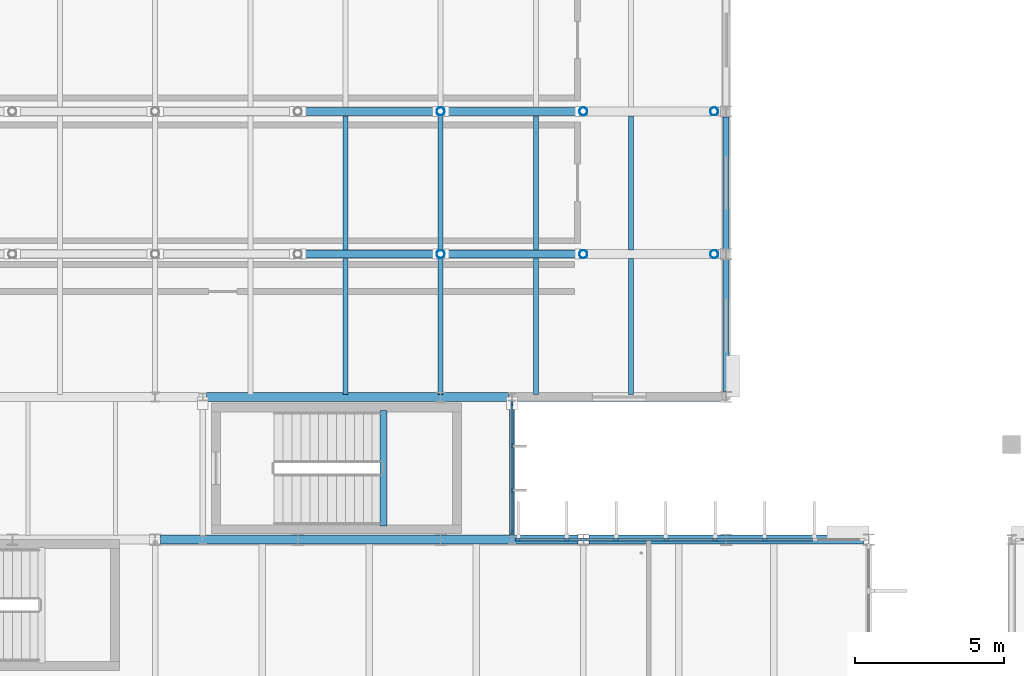
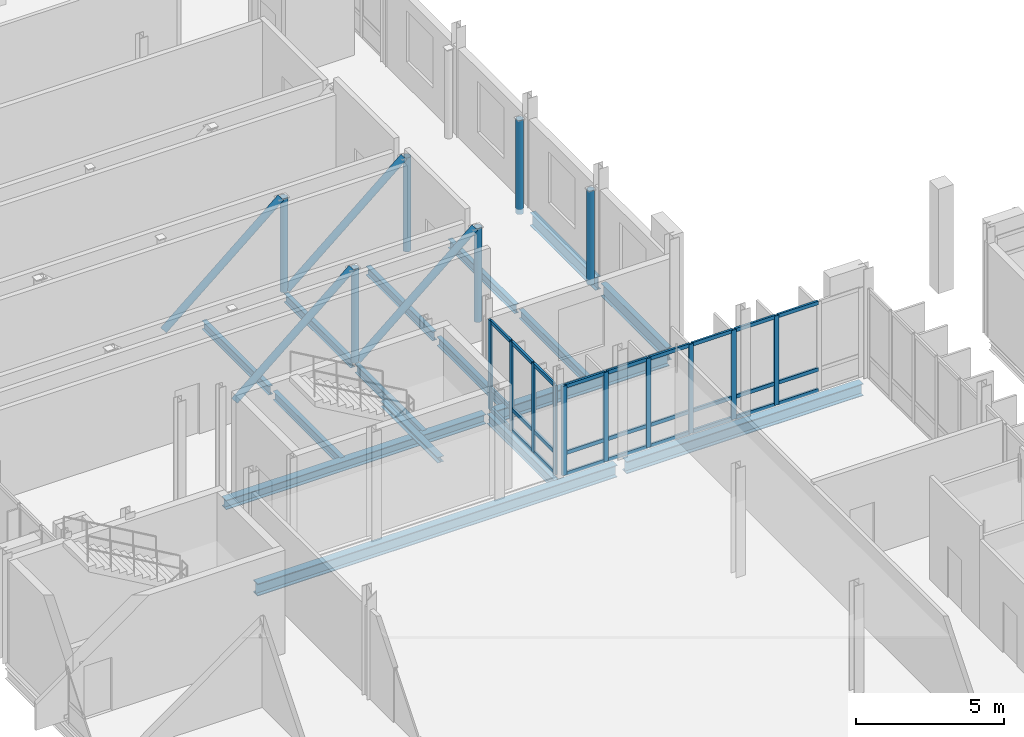
# One storey, part 26 of 110: 47 members, 16 beams, 2 elements without a shape of their own.
"""IFC4 building model written with IfcOpenShell, lengths in metres."""

from ifc_helpers import new_model, si_unit, direction, frame, origin, origin_2d, place, context, subcontext, project, spatial, rectangle, hollow_circle, i_section, extrude, material, material_profile, profile_set, type_object, element, aggregate, save


model = new_model("IFC4")

# Units and contexts
model_context = context("Model", 3, precision=1e-05, world=origin(), true_north=direction((0.0, 1.0)))
body_context = subcontext(model_context, "Body", "Model", "MODEL_VIEW")
ifc_project = project(units=[si_unit("LENGTHUNIT", "METRE"), si_unit("AREAUNIT", "SQUARE_METRE"), si_unit("VOLUMEUNIT", "CUBIC_METRE"), si_unit("PLANEANGLEUNIT", "RADIAN"), si_unit("MASSUNIT", "GRAM", prefix="KILO")], contexts=[model_context])

# Site, building, storey
site_placement = place(None, origin())
site = spatial("IfcSite", under=ifc_project, at=site_placement, CompositionType="ELEMENT")
building_placement = place(site_placement, origin())
building = spatial("IfcBuilding", under=site, at=building_placement, Name="Dunescarp Central Library", CompositionType="ELEMENT")
storey_placement = place(building_placement, frame((0.0, 0.0, 9.60009765625)))
storey = spatial("IfcBuildingStorey", under=building, at=storey_placement, Name="L02", CompositionType="ELEMENT", Elevation=9.60009765625)

# Curtain wall, members
ifc_material_1 = material(Name="Marine-grade anodised aluminium 6063-T6", Category="aluminium")
curtain_wall_type_1 = type_object("IfcCurtainWallType", Name="ARC-CW-STICK", PredefinedType="NOTDEFINED", material=ifc_material_1)
curtain_wall_1_placement = place(storey_placement, origin())
curtain_wall_1 = element("IfcCurtainWall", 1, at=curtain_wall_1_placement, inside=storey, type_object=curtain_wall_type_1, Name="L02 curtain wall CW-V1-014", PredefinedType="NOTDEFINED")
ifc_material_profile_1 = material_profile(ifc_material_1, rectangle(XDim=0.080078125, YDim=0.179931640625, at=origin_2d()), Name="AL 80x180")
ifc_profile_set_1 = profile_set([ifc_material_profile_1], Name="Marine-grade anodised aluminium 6063-T6")
member_type_1 = type_object("IfcMemberType", Name="ARC-CWM-180", PredefinedType="MULLION", material=ifc_profile_set_1)
member_1_placement = place(storey_placement, frame((21.81494140625, 36.800048828125, 0.0), z_axis=(0.0, 0.0, 1.0), x_axis=(0.0, 1.0, 0.0)))
member_1 = element("IfcMember", 2, at=member_1_placement, type_object=member_type_1, Name="CW-V1-014 mullion 1", PredefinedType="MULLION", context=body_context, shape_type="SweptSolid", body=[
    extrude(rectangle(XDim=0.080078125, YDim=0.179931640625, at=origin_2d()), origin(), (0.0, 0.0, 1.0), 3.684814453125),
])
member_2_placement = place(storey_placement, frame((23.439208984375, 36.800048828125, 0.0), z_axis=(0.0, 0.0, 1.0), x_axis=(0.0, 1.0, 0.0)))
member_2 = element("IfcMember", 3, at=member_2_placement, type_object=member_type_1, Name="CW-V1-014 mullion 2", PredefinedType="MULLION", context=body_context, shape_type="SweptSolid", body=[
    extrude(rectangle(XDim=0.080078125, YDim=0.179931640625, at=origin_2d()), origin(), (0.0, 0.0, 1.0), 3.684814453125),
])
member_3_placement = place(storey_placement, frame((25.103515625, 36.800048828125, 0.0), z_axis=(0.0, 0.0, 1.0), x_axis=(0.0, 1.0, 0.0)))
member_3 = element("IfcMember", 4, at=member_3_placement, type_object=member_type_1, Name="CW-V1-014 mullion 3", PredefinedType="MULLION", context=body_context, shape_type="SweptSolid", body=[
    extrude(rectangle(XDim=0.080078125, YDim=0.179931640625, at=origin_2d()), origin(), (0.0, 0.0, 1.0), 3.684814453125),
])
member_4_placement = place(storey_placement, frame((26.767822265625, 36.800048828125, 0.0), z_axis=(0.0, 0.0, 1.0), x_axis=(0.0, 1.0, 0.0)))
member_4 = element("IfcMember", 5, at=member_4_placement, type_object=member_type_1, Name="CW-V1-014 mullion 4", PredefinedType="MULLION", context=body_context, shape_type="SweptSolid", body=[
    extrude(rectangle(XDim=0.080078125, YDim=0.179931640625, at=origin_2d()), origin(), (0.0, 0.0, 1.0), 3.684814453125),
])
member_5_placement = place(storey_placement, frame((28.43212890625, 36.800048828125, 0.0), z_axis=(0.0, 0.0, 1.0), x_axis=(0.0, 1.0, 0.0)))
member_5 = element("IfcMember", 6, at=member_5_placement, type_object=member_type_1, Name="CW-V1-014 mullion 5", PredefinedType="MULLION", context=body_context, shape_type="SweptSolid", body=[
    extrude(rectangle(XDim=0.080078125, YDim=0.179931640625, at=origin_2d()), origin(), (0.0, 0.0, 1.0), 3.684814453125),
])
member_6_placement = place(storey_placement, frame((30.096435546875, 36.800048828125, 0.0), z_axis=(0.0, 0.0, 1.0), x_axis=(0.0, 1.0, 0.0)))
member_6 = element("IfcMember", 7, at=member_6_placement, type_object=member_type_1, Name="CW-V1-014 mullion 6", PredefinedType="MULLION", context=body_context, shape_type="SweptSolid", body=[
    extrude(rectangle(XDim=0.080078125, YDim=0.179931640625, at=origin_2d()), origin(), (0.0, 0.0, 1.0), 3.684814453125),
])

curtain_wall_type_2 = type_object("IfcCurtainWallType", Name="ARC-CW-LINK", PredefinedType="USERDEFINED", material=ifc_material_1)
curtain_wall_2_placement = place(storey_placement, origin())
curtain_wall_2 = element("IfcCurtainWall", 8, at=curtain_wall_2_placement, inside=storey, type_object=curtain_wall_type_2, Name="L02 curtain wall CW-GL4-E-L02", ObjectType="GLAZED_LINK_WALL", PredefinedType="USERDEFINED")
member_7_placement = place(storey_placement, frame((21.60009765625, 41.385009765625, 0.0), z_axis=(0.0, 0.0, 1.0), x_axis=(1.0, 0.0, 0.0)))
member_7 = element("IfcMember", 9, at=member_7_placement, type_object=member_type_1, Name="CW-GL4-E-L02 mullion 1", PredefinedType="MULLION", context=body_context, shape_type="SweptSolid", body=[
    extrude(rectangle(XDim=0.080078125, YDim=0.179931640625, at=origin_2d()), origin(), (0.0, 0.0, 1.0), 3.684814453125),
])
member_8_placement = place(storey_placement, frame((21.60009765625, 39.941650390625, 0.0), z_axis=(0.0, 0.0, 1.0), x_axis=(1.0, 0.0, 0.0)))
member_8 = element("IfcMember", 10, at=member_8_placement, type_object=member_type_1, Name="CW-GL4-E-L02 mullion 2", PredefinedType="MULLION", context=body_context, shape_type="SweptSolid", body=[
    extrude(rectangle(XDim=0.080078125, YDim=0.179931640625, at=origin_2d()), origin(), (0.0, 0.0, 1.0), 3.684814453125),
])
member_9_placement = place(storey_placement, frame((21.60009765625, 38.458251953125, 0.0), z_axis=(0.0, 0.0, 1.0), x_axis=(1.0, 0.0, 0.0)))
member_9 = element("IfcMember", 11, at=member_9_placement, type_object=member_type_1, Name="CW-GL4-E-L02 mullion 3", PredefinedType="MULLION", context=body_context, shape_type="SweptSolid", body=[
    extrude(rectangle(XDim=0.080078125, YDim=0.179931640625, at=origin_2d()), origin(), (0.0, 0.0, 1.0), 3.684814453125),
])
member_10_placement = place(storey_placement, frame((21.60009765625, 37.014892578125, 0.0), z_axis=(0.0, 0.0, 1.0), x_axis=(1.0, 0.0, 0.0)))
member_10 = element("IfcMember", 12, at=member_10_placement, type_object=member_type_1, Name="CW-GL4-E-L02 mullion 4", PredefinedType="MULLION", context=body_context, shape_type="SweptSolid", body=[
    extrude(rectangle(XDim=0.080078125, YDim=0.179931640625, at=origin_2d()), origin(), (0.0, 0.0, 1.0), 3.684814453125),
])

# Member
ifc_material_profile_2 = material_profile(ifc_material_1, rectangle(XDim=0.080078125, YDim=0.14990234375, at=origin_2d()), Name="AL 80x150")
ifc_profile_set_2 = profile_set([ifc_material_profile_2], Name="Marine-grade anodised aluminium 6063-T6")
member_type_2 = type_object("IfcMemberType", Name="ARC-CWT-150", PredefinedType="USERDEFINED", material=ifc_profile_set_2)
member_11_placement = place(storey_placement, frame((21.85498046875, 36.800048828125, 0.039794921875), z_axis=(1.0, 0.0, 0.0), x_axis=(0.0, 1.0, 0.0)))
member_11 = element("IfcMember", 13, at=member_11_placement, type_object=member_type_2, Name="CW-V1-014 transom 1.1", ObjectType="TRANSOM", PredefinedType="USERDEFINED", context=body_context, shape_type="SweptSolid", body=[
    extrude(rectangle(XDim=0.080078125, YDim=0.14990234375, at=origin_2d()), origin(), (0.0, 0.0, 1.0), 1.544189453125),
])

member_12_placement = place(storey_placement, frame((21.85498046875, 36.800048828125, 0.89990234375), z_axis=(1.0, 0.0, 0.0), x_axis=(0.0, 1.0, 0.0)))
member_12 = element("IfcMember", 14, at=member_12_placement, type_object=member_type_2, Name="CW-V1-014 transom 1.2", ObjectType="TRANSOM", PredefinedType="USERDEFINED", context=body_context, shape_type="SweptSolid", body=[
    extrude(rectangle(XDim=0.080078125, YDim=0.14990234375, at=origin_2d()), origin(), (0.0, 0.0, 1.0), 1.544189453125),
])

member_13_placement = place(storey_placement, frame((21.85498046875, 36.800048828125, 3.64501953125), z_axis=(1.0, 0.0, 0.0), x_axis=(0.0, 1.0, 0.0)))
member_13 = element("IfcMember", 15, at=member_13_placement, type_object=member_type_2, Name="CW-V1-014 transom 1.3", ObjectType="TRANSOM", PredefinedType="USERDEFINED", context=body_context, shape_type="SweptSolid", body=[
    extrude(rectangle(XDim=0.080078125, YDim=0.14990234375, at=origin_2d()), origin(), (0.0, 0.0, 1.0), 1.544189453125),
])

member_14_placement = place(storey_placement, frame((23.479248046875, 36.800048828125, 0.039794921875), z_axis=(1.0, 0.0, 0.0), x_axis=(0.0, 1.0, 0.0)))
member_14 = element("IfcMember", 16, at=member_14_placement, type_object=member_type_2, Name="CW-V1-014 transom 2.1", ObjectType="TRANSOM", PredefinedType="USERDEFINED", context=body_context, shape_type="SweptSolid", body=[
    extrude(rectangle(XDim=0.080078125, YDim=0.14990234375, at=origin_2d()), origin(), (0.0, 0.0, 1.0), 1.584228515625),
])

member_15_placement = place(storey_placement, frame((23.479248046875, 36.800048828125, 0.89990234375), z_axis=(1.0, 0.0, 0.0), x_axis=(0.0, 1.0, 0.0)))
member_15 = element("IfcMember", 17, at=member_15_placement, type_object=member_type_2, Name="CW-V1-014 transom 2.2", ObjectType="TRANSOM", PredefinedType="USERDEFINED", context=body_context, shape_type="SweptSolid", body=[
    extrude(rectangle(XDim=0.080078125, YDim=0.14990234375, at=origin_2d()), origin(), (0.0, 0.0, 1.0), 1.584228515625),
])

member_16_placement = place(storey_placement, frame((23.479248046875, 36.800048828125, 3.64501953125), z_axis=(1.0, 0.0, 0.0), x_axis=(0.0, 1.0, 0.0)))
member_16 = element("IfcMember", 18, at=member_16_placement, type_object=member_type_2, Name="CW-V1-014 transom 2.3", ObjectType="TRANSOM", PredefinedType="USERDEFINED", context=body_context, shape_type="SweptSolid", body=[
    extrude(rectangle(XDim=0.080078125, YDim=0.14990234375, at=origin_2d()), origin(), (0.0, 0.0, 1.0), 1.584228515625),
])

member_17_placement = place(storey_placement, frame((25.1435546875, 36.800048828125, 0.039794921875), z_axis=(1.0, 0.0, 0.0), x_axis=(0.0, 1.0, 0.0)))
member_17 = element("IfcMember", 19, at=member_17_placement, type_object=member_type_2, Name="CW-V1-014 transom 3.1", ObjectType="TRANSOM", PredefinedType="USERDEFINED", context=body_context, shape_type="SweptSolid", body=[
    extrude(rectangle(XDim=0.080078125, YDim=0.14990234375, at=origin_2d()), origin(), (0.0, 0.0, 1.0), 1.584228515625),
])

member_18_placement = place(storey_placement, frame((25.1435546875, 36.800048828125, 0.89990234375), z_axis=(1.0, 0.0, 0.0), x_axis=(0.0, 1.0, 0.0)))
member_18 = element("IfcMember", 20, at=member_18_placement, type_object=member_type_2, Name="CW-V1-014 transom 3.2", ObjectType="TRANSOM", PredefinedType="USERDEFINED", context=body_context, shape_type="SweptSolid", body=[
    extrude(rectangle(XDim=0.080078125, YDim=0.14990234375, at=origin_2d()), origin(), (0.0, 0.0, 1.0), 1.584228515625),
])

member_19_placement = place(storey_placement, frame((25.1435546875, 36.800048828125, 3.64501953125), z_axis=(1.0, 0.0, 0.0), x_axis=(0.0, 1.0, 0.0)))
member_19 = element("IfcMember", 21, at=member_19_placement, type_object=member_type_2, Name="CW-V1-014 transom 3.3", ObjectType="TRANSOM", PredefinedType="USERDEFINED", context=body_context, shape_type="SweptSolid", body=[
    extrude(rectangle(XDim=0.080078125, YDim=0.14990234375, at=origin_2d()), origin(), (0.0, 0.0, 1.0), 1.584228515625),
])

member_20_placement = place(storey_placement, frame((26.807861328125, 36.800048828125, 0.039794921875), z_axis=(1.0, 0.0, 0.0), x_axis=(0.0, 1.0, 0.0)))
member_20 = element("IfcMember", 22, at=member_20_placement, type_object=member_type_2, Name="CW-V1-014 transom 4.1", ObjectType="TRANSOM", PredefinedType="USERDEFINED", context=body_context, shape_type="SweptSolid", body=[
    extrude(rectangle(XDim=0.080078125, YDim=0.14990234375, at=origin_2d()), origin(), (0.0, 0.0, 1.0), 1.584228515625),
])

member_21_placement = place(storey_placement, frame((26.807861328125, 36.800048828125, 0.89990234375), z_axis=(1.0, 0.0, 0.0), x_axis=(0.0, 1.0, 0.0)))
member_21 = element("IfcMember", 23, at=member_21_placement, type_object=member_type_2, Name="CW-V1-014 transom 4.2", ObjectType="TRANSOM", PredefinedType="USERDEFINED", context=body_context, shape_type="SweptSolid", body=[
    extrude(rectangle(XDim=0.080078125, YDim=0.14990234375, at=origin_2d()), origin(), (0.0, 0.0, 1.0), 1.584228515625),
])

member_22_placement = place(storey_placement, frame((26.807861328125, 36.800048828125, 3.64501953125), z_axis=(1.0, 0.0, 0.0), x_axis=(0.0, 1.0, 0.0)))
member_22 = element("IfcMember", 24, at=member_22_placement, type_object=member_type_2, Name="CW-V1-014 transom 4.3", ObjectType="TRANSOM", PredefinedType="USERDEFINED", context=body_context, shape_type="SweptSolid", body=[
    extrude(rectangle(XDim=0.080078125, YDim=0.14990234375, at=origin_2d()), origin(), (0.0, 0.0, 1.0), 1.584228515625),
])

member_23_placement = place(storey_placement, frame((28.47216796875, 36.800048828125, 0.039794921875), z_axis=(1.0, 0.0, 0.0), x_axis=(0.0, 1.0, 0.0)))
member_23 = element("IfcMember", 25, at=member_23_placement, type_object=member_type_2, Name="CW-V1-014 transom 5.1", ObjectType="TRANSOM", PredefinedType="USERDEFINED", context=body_context, shape_type="SweptSolid", body=[
    extrude(rectangle(XDim=0.080078125, YDim=0.14990234375, at=origin_2d()), origin(), (0.0, 0.0, 1.0), 1.584228515625),
])

member_24_placement = place(storey_placement, frame((28.47216796875, 36.800048828125, 0.89990234375), z_axis=(1.0, 0.0, 0.0), x_axis=(0.0, 1.0, 0.0)))
member_24 = element("IfcMember", 26, at=member_24_placement, type_object=member_type_2, Name="CW-V1-014 transom 5.2", ObjectType="TRANSOM", PredefinedType="USERDEFINED", context=body_context, shape_type="SweptSolid", body=[
    extrude(rectangle(XDim=0.080078125, YDim=0.14990234375, at=origin_2d()), origin(), (0.0, 0.0, 1.0), 1.584228515625),
])

member_25_placement = place(storey_placement, frame((28.47216796875, 36.800048828125, 3.64501953125), z_axis=(1.0, 0.0, 0.0), x_axis=(0.0, 1.0, 0.0)))
member_25 = element("IfcMember", 27, at=member_25_placement, type_object=member_type_2, Name="CW-V1-014 transom 5.3", ObjectType="TRANSOM", PredefinedType="USERDEFINED", context=body_context, shape_type="SweptSolid", body=[
    extrude(rectangle(XDim=0.080078125, YDim=0.14990234375, at=origin_2d()), origin(), (0.0, 0.0, 1.0), 1.584228515625),
])

member_26_placement = place(storey_placement, frame((30.136474609375, 36.800048828125, 0.039794921875), z_axis=(1.0, 0.0, 0.0), x_axis=(0.0, 1.0, 0.0)))
member_26 = element("IfcMember", 28, at=member_26_placement, type_object=member_type_2, Name="CW-V1-014 transom 6.1", ObjectType="TRANSOM", PredefinedType="USERDEFINED", context=body_context, shape_type="SweptSolid", body=[
    extrude(rectangle(XDim=0.080078125, YDim=0.14990234375, at=origin_2d()), origin(), (0.0, 0.0, 1.0), 1.584228515625),
])

member_27_placement = place(storey_placement, frame((30.136474609375, 36.800048828125, 0.89990234375), z_axis=(1.0, 0.0, 0.0), x_axis=(0.0, 1.0, 0.0)))
member_27 = element("IfcMember", 29, at=member_27_placement, type_object=member_type_2, Name="CW-V1-014 transom 6.2", ObjectType="TRANSOM", PredefinedType="USERDEFINED", context=body_context, shape_type="SweptSolid", body=[
    extrude(rectangle(XDim=0.080078125, YDim=0.14990234375, at=origin_2d()), origin(), (0.0, 0.0, 1.0), 1.584228515625),
])

member_28_placement = place(storey_placement, frame((30.136474609375, 36.800048828125, 3.64501953125), z_axis=(1.0, 0.0, 0.0), x_axis=(0.0, 1.0, 0.0)))
member_28 = element("IfcMember", 30, at=member_28_placement, type_object=member_type_2, Name="CW-V1-014 transom 6.3", ObjectType="TRANSOM", PredefinedType="USERDEFINED", context=body_context, shape_type="SweptSolid", body=[
    extrude(rectangle(XDim=0.080078125, YDim=0.14990234375, at=origin_2d()), origin(), (0.0, 0.0, 1.0), 1.584228515625),
])

aggregate(curtain_wall_1, [member_1, member_2, member_3, member_4, member_5, member_6, member_11, member_12, member_13, member_14, member_15, member_16, member_17, member_18, member_19, member_20, member_21, member_22, member_23, member_24, member_25, member_26, member_27, member_28])

member_29_placement = place(storey_placement, frame((21.60009765625, 41.344970703125, 0.039794921875), z_axis=(0.0, -1.0, 0.0), x_axis=(1.0, 0.0, 0.0)))
member_29 = element("IfcMember", 31, at=member_29_placement, type_object=member_type_2, Name="CW-GL4-E-L02 transom 1.1", ObjectType="TRANSOM", PredefinedType="USERDEFINED", context=body_context, shape_type="SweptSolid", body=[
    extrude(rectangle(XDim=0.080078125, YDim=0.14990234375, at=origin_2d()), origin(), (0.0, 0.0, 1.0), 1.36328125),
])

member_30_placement = place(storey_placement, frame((21.60009765625, 41.344970703125, 0.89990234375), z_axis=(0.0, -1.0, 0.0), x_axis=(1.0, 0.0, 0.0)))
member_30 = element("IfcMember", 32, at=member_30_placement, type_object=member_type_2, Name="CW-GL4-E-L02 transom 1.2", ObjectType="TRANSOM", PredefinedType="USERDEFINED", context=body_context, shape_type="SweptSolid", body=[
    extrude(rectangle(XDim=0.080078125, YDim=0.14990234375, at=origin_2d()), origin(), (0.0, 0.0, 1.0), 1.36328125),
])

member_31_placement = place(storey_placement, frame((21.60009765625, 41.344970703125, 3.64501953125), z_axis=(0.0, -1.0, 0.0), x_axis=(1.0, 0.0, 0.0)))
member_31 = element("IfcMember", 33, at=member_31_placement, type_object=member_type_2, Name="CW-GL4-E-L02 transom 1.3", ObjectType="TRANSOM", PredefinedType="USERDEFINED", context=body_context, shape_type="SweptSolid", body=[
    extrude(rectangle(XDim=0.080078125, YDim=0.14990234375, at=origin_2d()), origin(), (0.0, 0.0, 1.0), 1.36328125),
])

member_32_placement = place(storey_placement, frame((21.60009765625, 39.901611328125, 0.039794921875), z_axis=(0.0, -1.0, 0.0), x_axis=(1.0, 0.0, 0.0)))
member_32 = element("IfcMember", 34, at=member_32_placement, type_object=member_type_2, Name="CW-GL4-E-L02 transom 2.1", ObjectType="TRANSOM", PredefinedType="USERDEFINED", context=body_context, shape_type="SweptSolid", body=[
    extrude(rectangle(XDim=0.080078125, YDim=0.14990234375, at=origin_2d()), origin(), (0.0, 0.0, 1.0), 1.4033203125),
])

member_33_placement = place(storey_placement, frame((21.60009765625, 39.901611328125, 0.89990234375), z_axis=(0.0, -1.0, 0.0), x_axis=(1.0, 0.0, 0.0)))
member_33 = element("IfcMember", 35, at=member_33_placement, type_object=member_type_2, Name="CW-GL4-E-L02 transom 2.2", ObjectType="TRANSOM", PredefinedType="USERDEFINED", context=body_context, shape_type="SweptSolid", body=[
    extrude(rectangle(XDim=0.080078125, YDim=0.14990234375, at=origin_2d()), origin(), (0.0, 0.0, 1.0), 1.4033203125),
])

member_34_placement = place(storey_placement, frame((21.60009765625, 39.901611328125, 3.64501953125), z_axis=(0.0, -1.0, 0.0), x_axis=(1.0, 0.0, 0.0)))
member_34 = element("IfcMember", 36, at=member_34_placement, type_object=member_type_2, Name="CW-GL4-E-L02 transom 2.3", ObjectType="TRANSOM", PredefinedType="USERDEFINED", context=body_context, shape_type="SweptSolid", body=[
    extrude(rectangle(XDim=0.080078125, YDim=0.14990234375, at=origin_2d()), origin(), (0.0, 0.0, 1.0), 1.4033203125),
])

member_35_placement = place(storey_placement, frame((21.60009765625, 38.418212890625, 0.039794921875), z_axis=(0.0, -1.0, 0.0), x_axis=(1.0, 0.0, 0.0)))
member_35 = element("IfcMember", 37, at=member_35_placement, type_object=member_type_2, Name="CW-GL4-E-L02 transom 3.1", ObjectType="TRANSOM", PredefinedType="USERDEFINED", context=body_context, shape_type="SweptSolid", body=[
    extrude(rectangle(XDim=0.080078125, YDim=0.14990234375, at=origin_2d()), origin(), (0.0, 0.0, 1.0), 1.36328125),
])

member_36_placement = place(storey_placement, frame((21.60009765625, 38.418212890625, 0.89990234375), z_axis=(0.0, -1.0, 0.0), x_axis=(1.0, 0.0, 0.0)))
member_36 = element("IfcMember", 38, at=member_36_placement, type_object=member_type_2, Name="CW-GL4-E-L02 transom 3.2", ObjectType="TRANSOM", PredefinedType="USERDEFINED", context=body_context, shape_type="SweptSolid", body=[
    extrude(rectangle(XDim=0.080078125, YDim=0.14990234375, at=origin_2d()), origin(), (0.0, 0.0, 1.0), 1.36328125),
])

member_37_placement = place(storey_placement, frame((21.60009765625, 38.418212890625, 3.64501953125), z_axis=(0.0, -1.0, 0.0), x_axis=(1.0, 0.0, 0.0)))
member_37 = element("IfcMember", 39, at=member_37_placement, type_object=member_type_2, Name="CW-GL4-E-L02 transom 3.3", ObjectType="TRANSOM", PredefinedType="USERDEFINED", context=body_context, shape_type="SweptSolid", body=[
    extrude(rectangle(XDim=0.080078125, YDim=0.14990234375, at=origin_2d()), origin(), (0.0, 0.0, 1.0), 1.36328125),
])

aggregate(curtain_wall_2, [member_7, member_8, member_9, member_10, member_29, member_30, member_31, member_32, member_33, member_34, member_35, member_36, member_37])

# Beams
ifc_material_2 = material(Name="Steel S355JR", Category="steel")
ifc_material_profile_3 = material_profile(ifc_material_2, i_section(OverallWidth=0.300048828125, OverallDepth=0.389892578125, WebThickness=0.010986328125, FlangeThickness=0.01904296875, at=origin_2d()), Name="HEA 400")
ifc_profile_set_3 = profile_set([ifc_material_profile_3], Name="Steel S355JR")
beam_type_1 = type_object("IfcBeamType", Name="STR-BM-HEA400", PredefinedType="BEAM", material=ifc_profile_set_3)
beam_1_placement = place(storey_placement, frame((11.324951171875, 41.60009765625, -0.405029296875), z_axis=(1.0, 0.0, 0.0), x_axis=(0.0, 1.0, 0.0)))
element("IfcBeam", 40, at=beam_1_placement, inside=storey, type_object=beam_type_1, Name="L02 girder BM-L02-1277", PredefinedType="BEAM", context=body_context, shape_type="SweptSolid", body=[
    extrude(i_section(OverallWidth=0.300048828125, OverallDepth=0.389892578125, WebThickness=0.010986328125, FlangeThickness=0.01904296875, at=origin_2d()), origin(), (0.0, 0.0, 1.0), 10.150146484375),
])
ifc_material_profile_4 = material_profile(ifc_material_2, i_section(OverallWidth=0.300048828125, OverallDepth=0.5, WebThickness=0.014404296875, FlangeThickness=0.028076171875, at=origin_2d()), Name="HEB 500")
ifc_profile_set_4 = profile_set([ifc_material_profile_4], Name="Steel S355JR")
beam_type_2 = type_object("IfcBeamType", Name="STR-BM-HEB500", PredefinedType="BEAM", material=ifc_profile_set_4)
beam_2_placement = place(storey_placement, frame((9.782958984375, 36.800048828125, -0.460205078125), z_axis=(1.0, 0.0, 0.0), x_axis=(0.0, 1.0, 0.0)))
element("IfcBeam", 41, at=beam_2_placement, inside=storey, type_object=beam_type_2, Name="L02 girder BM-L02-0091", PredefinedType="BEAM", context=body_context, shape_type="SweptSolid", body=[
    extrude(i_section(OverallWidth=0.300048828125, OverallDepth=0.5, WebThickness=0.014404296875, FlangeThickness=0.028076171875, at=origin_2d()), origin(), (0.0, 0.0, 1.0), 14.033935546875),
])
beam_3_placement = place(storey_placement, frame((24.18310546875, 36.800048828125, -0.460205078125), z_axis=(1.0, 0.0, 0.0), x_axis=(0.0, 1.0, 0.0)))
element("IfcBeam", 42, at=beam_3_placement, inside=storey, type_object=beam_type_2, Name="L02 girder BM-L02-0107", PredefinedType="BEAM", context=body_context, shape_type="SweptSolid", body=[
    extrude(i_section(OverallWidth=0.300048828125, OverallDepth=0.5, WebThickness=0.014404296875, FlangeThickness=0.028076171875, at=origin_2d()), origin(), (0.0, 0.0, 1.0), 9.23388671875),
])
beam_4_placement = place(storey_placement, frame((21.72509765625, 41.60009765625, -0.460205078125), z_axis=(1.0, 0.0, 0.0), x_axis=(0.0, 1.0, 0.0)))
element("IfcBeam", 43, at=beam_4_placement, inside=storey, type_object=beam_type_2, Name="L02 girder BM-L02-1348", PredefinedType="BEAM", context=body_context, shape_type="SweptSolid", body=[
    extrude(i_section(OverallWidth=0.300048828125, OverallDepth=0.5, WebThickness=0.014404296875, FlangeThickness=0.028076171875, at=origin_2d()), origin(), (0.0, 0.0, 1.0), 6.891845703125),
])
ifc_material_profile_5 = material_profile(ifc_material_2, i_section(OverallWidth=0.209228515625, OverallDepth=0.533203125, WebThickness=0.010009765625, FlangeThickness=0.015625, at=origin_2d()), Name="UB 533x210x92")
ifc_profile_set_5 = profile_set([ifc_material_profile_5], Name="Steel S355JR")
beam_type_3 = type_object("IfcBeamType", Name="STR-BM-UB533", PredefinedType="BEAM", material=ifc_profile_set_5)
for number, where, z_axis, x_axis, name in (
    (44, (28.800048828125, 41.781005859375, -0.47607421875), (0.0, 1.0, 0.0), (-1.0, 0.0, 0.0), "L02 edge girder BM-L02-1353"),
    (45, (28.800048828125, 46.5810546875, -0.47607421875), (0.0, 1.0, 0.0), (-1.0, 0.0, 0.0), "L02 edge girder BM-L02-1354"),
):
    element("IfcBeam", number, at=place(storey_placement, frame(where, z_axis=z_axis, x_axis=x_axis)), inside=storey, type_object=beam_type_3, Name=name, PredefinedType="BEAM", context=body_context, shape_type="SweptSolid", body=[
        extrude(i_section(OverallWidth=0.209228515625, OverallDepth=0.533203125, WebThickness=0.010009765625, FlangeThickness=0.015625, at=origin_2d()), origin(), (0.0, 0.0, 1.0), 4.43798828125),
    ])
ifc_material_profile_6 = material_profile(ifc_material_2, i_section(OverallWidth=0.239990234375, OverallDepth=0.22998046875, WebThickness=0.007568359375, FlangeThickness=0.011962890625, at=origin_2d()), Name="HEA 240")
ifc_profile_set_6 = profile_set([ifc_material_profile_6], Name="Steel S355JR")
beam_type_4 = type_object("IfcBeamType", Name="STR-JS-HEA240", PredefinedType="JOIST", material=ifc_profile_set_6)
beam_5_placement = place(storey_placement, frame((17.280029296875, 37.260009765625, 1.934814453125), z_axis=(0.0, 1.0, 0.0), x_axis=(-1.0, 0.0, 0.0)))
element("IfcBeam", 46, at=beam_5_placement, inside=storey, type_object=beam_type_4, Name="L02 ST-4 landing trimmer beam BM-ST-027", PredefinedType="BEAM", context=body_context, shape_type="SweptSolid", body=[
    extrude(i_section(OverallWidth=0.239990234375, OverallDepth=0.22998046875, WebThickness=0.007568359375, FlangeThickness=0.011962890625, at=origin_2d()), origin(), (0.0, 0.0, 1.0), 3.8798828125),
])
ifc_material_profile_7 = material_profile(ifc_material_2, i_section(OverallWidth=0.169921875, OverallDepth=0.360107421875, WebThickness=0.008056640625, FlangeThickness=0.0126953125, at=origin_2d()), Name="IPE 360")
ifc_profile_set_7 = profile_set([ifc_material_profile_7], Name="Steel S355JR")
beam_type_5 = type_object("IfcBeamType", Name="STR-JS-IPE360", PredefinedType="JOIST", material=ifc_profile_set_7)
for number, where, z_axis, x_axis, name in (
    (47, (16.0, 41.68505859375, -0.39013671875), (0.0, 1.0, 0.0), (-1.0, 0.0, 0.0), "L02 joist JS-L02-1361"),
    (48, (19.199951171875, 41.68505859375, -0.39013671875), (0.0, 1.0, 0.0), (-1.0, 0.0, 0.0), "L02 joist JS-L02-1362"),
    (49, (22.39990234375, 41.68505859375, -0.39013671875), (0.0, 1.0, 0.0), (-1.0, 0.0, 0.0), "L02 joist JS-L02-1363"),
    (50, (25.60009765625, 41.68505859375, -0.39013671875), (0.0, 1.0, 0.0), (-1.0, 0.0, 0.0), "L02 joist JS-L02-1364"),
):
    element("IfcBeam", number, at=place(storey_placement, frame(where, z_axis=z_axis, x_axis=x_axis)), inside=storey, type_object=beam_type_5, Name=name, PredefinedType="JOIST", context=body_context, shape_type="SweptSolid", body=[
        extrude(i_section(OverallWidth=0.169921875, OverallDepth=0.360107421875, WebThickness=0.008056640625, FlangeThickness=0.0126953125, at=origin_2d()), origin(), (0.0, 0.0, 1.0), 4.56689453125),
    ])
for number, where, z_axis, x_axis, name in (
    (51, (16.0, 46.548095703125, -0.39013671875), (0.0, 1.0, 0.0), (-1.0, 0.0, 0.0), "L02 joist JS-L02-1369"),
    (52, (19.199951171875, 46.548095703125, -0.39013671875), (0.0, 1.0, 0.0), (-1.0, 0.0, 0.0), "L02 joist JS-L02-1370"),
    (53, (22.39990234375, 46.548095703125, -0.39013671875), (0.0, 1.0, 0.0), (-1.0, 0.0, 0.0), "L02 joist JS-L02-1371"),
    (54, (25.60009765625, 46.548095703125, -0.39013671875), (0.0, 1.0, 0.0), (-1.0, 0.0, 0.0), "L02 joist JS-L02-1372"),
):
    element("IfcBeam", number, at=place(storey_placement, frame(where, z_axis=z_axis, x_axis=x_axis)), inside=storey, type_object=beam_type_5, Name=name, PredefinedType="JOIST", context=body_context, shape_type="SweptSolid", body=[
        extrude(i_section(OverallWidth=0.169921875, OverallDepth=0.360107421875, WebThickness=0.008056640625, FlangeThickness=0.0126953125, at=origin_2d()), origin(), (0.0, 0.0, 1.0), 4.50390625),
    ])
ifc_material_profile_8 = material_profile(ifc_material_2, i_section(OverallWidth=0.177978515625, OverallDepth=0.406494140625, WebThickness=0.0078125, FlangeThickness=0.0126953125, at=origin_2d()), Name="UB 406x178x60")
ifc_profile_set_8 = profile_set([ifc_material_profile_8], Name="Steel S355JR")
beam_type_6 = type_object("IfcBeamType", Name="STR-SP-UB406", PredefinedType="SPANDREL", material=ifc_profile_set_8)
beam_6_placement = place(storey_placement, frame((21.60009765625, 36.927001953125, -0.4130859375), z_axis=(0.0, 1.0, 0.0), x_axis=(-1.0, 0.0, 0.0)))
element("IfcBeam", 55, at=beam_6_placement, inside=storey, type_object=beam_type_6, Name="L02 girder BM-L02-1278", PredefinedType="SPANDREL", context=body_context, shape_type="SweptSolid", body=[
    extrude(i_section(OverallWidth=0.177978515625, OverallDepth=0.406494140625, WebThickness=0.0078125, FlangeThickness=0.0126953125, at=origin_2d()), origin(), (0.0, 0.0, 1.0), 4.5458984375),
])

# Members
ifc_material_3 = material(Name="Steel S355J0", Category="steel")
ifc_material_profile_9 = material_profile(ifc_material_3, hollow_circle(Radius=0.136474609375, WallThickness=0.012451171875, at=origin_2d()), Name="CHS 273x12.5")
ifc_profile_set_9 = profile_set([ifc_material_profile_9], Name="Steel S355J0")
member_type_3 = type_object("IfcMemberType", Name="STR-TT-DIAG", PredefinedType="CHORD", material=ifc_profile_set_9)
member_38_placement = place(storey_placement, frame((14.510009765625, 46.39990234375, -0.212158203125), z_axis=(0.763503596688, 0.0, 0.64580357528), x_axis=(0.0, 1.0, 0.0)))
element("IfcMember", 56, at=member_38_placement, inside=storey, type_object=member_type_3, Name="Transfer truss TT-V4-1 diagonal 4", PredefinedType="CHORD", context=body_context, shape_type="SweptSolid", body=[
    extrude(hollow_circle(Radius=0.136474609375, WallThickness=0.012451171875, at=origin_2d()), origin(), (0.0, 0.0, 1.0), 5.998779296875),
])
member_39_placement = place(storey_placement, frame((19.31005859375, 46.39990234375, -0.212158203125), z_axis=(0.763486622095, 0.0, 0.645823643019), x_axis=(0.0, 1.0, 0.0)))
element("IfcMember", 57, at=member_39_placement, inside=storey, type_object=member_type_3, Name="Transfer truss TT-V4-1 diagonal 5", PredefinedType="CHORD", context=body_context, shape_type="SweptSolid", body=[
    extrude(hollow_circle(Radius=0.136474609375, WallThickness=0.012451171875, at=origin_2d()), origin(), (0.0, 0.0, 1.0), 5.99853515625),
])
member_40_placement = place(storey_placement, frame((14.510009765625, 51.199951171875, -0.212158203125), z_axis=(0.763503596688, 0.0, 0.64580357528), x_axis=(0.0, 1.0, 0.0)))
element("IfcMember", 58, at=member_40_placement, inside=storey, type_object=member_type_3, Name="Transfer truss TT-V4-2 diagonal 4", PredefinedType="CHORD", context=body_context, shape_type="SweptSolid", body=[
    extrude(hollow_circle(Radius=0.136474609375, WallThickness=0.012451171875, at=origin_2d()), origin(), (0.0, 0.0, 1.0), 5.998779296875),
])
member_41_placement = place(storey_placement, frame((19.31005859375, 51.199951171875, -0.212158203125), z_axis=(0.763486622095, 0.0, 0.645823643019), x_axis=(0.0, 1.0, 0.0)))
element("IfcMember", 59, at=member_41_placement, inside=storey, type_object=member_type_3, Name="Transfer truss TT-V4-2 diagonal 5", PredefinedType="CHORD", context=body_context, shape_type="SweptSolid", body=[
    extrude(hollow_circle(Radius=0.136474609375, WallThickness=0.012451171875, at=origin_2d()), origin(), (0.0, 0.0, 1.0), 5.99853515625),
])
ifc_material_profile_10 = material_profile(ifc_material_3, hollow_circle(Radius=0.136474609375, WallThickness=0.010009765625, at=origin_2d()), Name="CHS 273x10")
ifc_profile_set_10 = profile_set([ifc_material_profile_10], Name="Steel S355J0")
member_type_4 = type_object("IfcMemberType", Name="STR-TT-VERT", PredefinedType="CHORD", material=ifc_profile_set_10)
for number, where, z_axis, x_axis, name in (
    (60, (19.199951171875, 46.39990234375, -0.215087890625), (0.0, 0.0, 1.0), (1.0, 0.0, 0.0), "Transfer truss TT-V4-1 vertical 5"),
    (61, (24.0, 46.39990234375, -0.215087890625), (0.0, 0.0, 1.0), (1.0, 0.0, 0.0), "Transfer truss TT-V4-1 vertical 6"),
    (62, (28.39990234375, 46.39990234375, -0.215087890625), (0.0, 0.0, 1.0), (1.0, 0.0, 0.0), "Transfer truss TT-V4-1 vertical 7"),
    (63, (19.199951171875, 51.199951171875, -0.215087890625), (0.0, 0.0, 1.0), (1.0, 0.0, 0.0), "Transfer truss TT-V4-2 vertical 5"),
    (64, (24.0, 51.199951171875, -0.215087890625), (0.0, 0.0, 1.0), (1.0, 0.0, 0.0), "Transfer truss TT-V4-2 vertical 6"),
    (65, (28.39990234375, 51.199951171875, -0.215087890625), (0.0, 0.0, 1.0), (1.0, 0.0, 0.0), "Transfer truss TT-V4-2 vertical 7"),
):
    element("IfcMember", number, at=place(storey_placement, frame(where, z_axis=z_axis, x_axis=x_axis)), inside=storey, type_object=member_type_4, Name=name, PredefinedType="CHORD", context=body_context, shape_type="SweptSolid", body=[
        extrude(hollow_circle(Radius=0.136474609375, WallThickness=0.010009765625, at=origin_2d()), origin(), (0.0, 0.0, 1.0), 3.8798828125),
    ])

save(model, "model.ifc")
